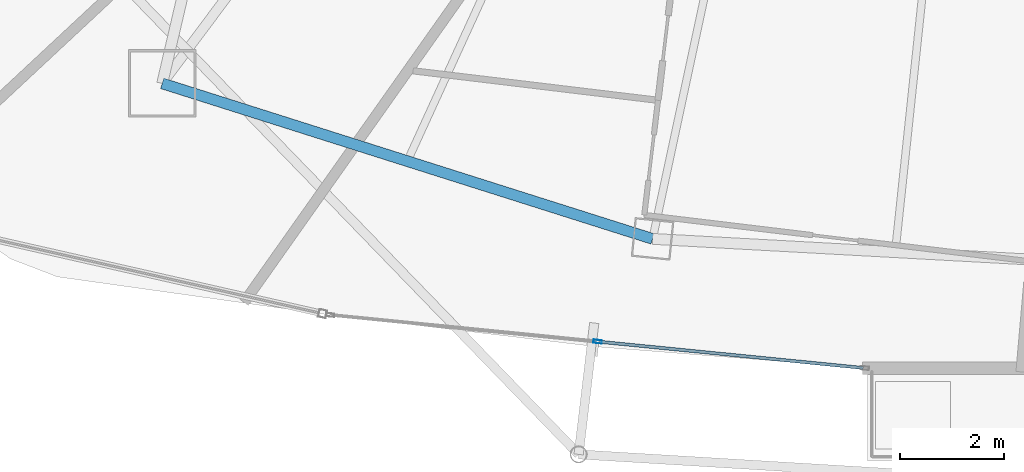
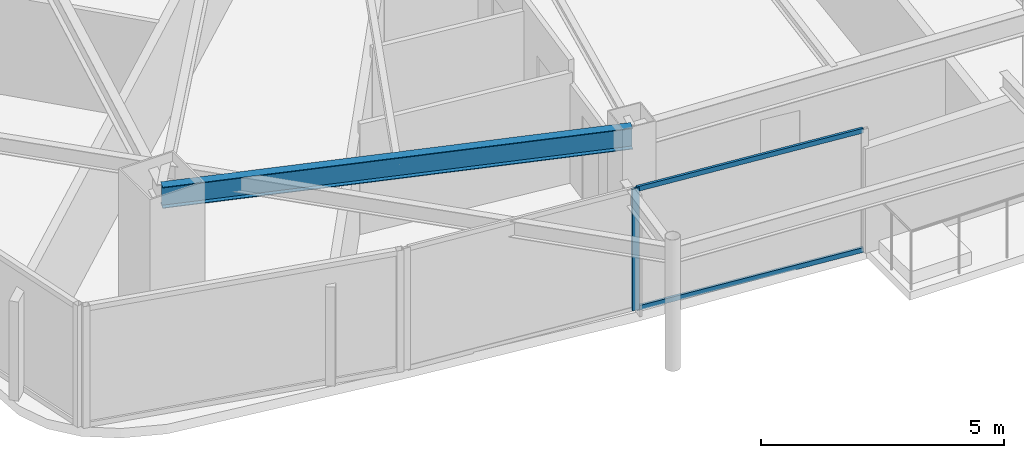
# One storey, part 4 of 32: 3 members, 1 beam, 1 element without a shape of its own.
"""IFC4 building model written with IfcOpenShell, lengths in metres."""

from ifc_helpers import new_model, si_unit, direction, frame, origin, origin_2d, place, context, subcontext, project, spatial, hollow_rectangle, i_section, extrude, material, layer, layer_set, material_profile, profile_set, type_object, element, aggregate, save


model = new_model("IFC4")

# Units and contexts
model_context = context("Model", 3, precision=1e-05, world=origin(), true_north=direction((0.0, 1.0)))
body_context = subcontext(model_context, "Body", "Model", "MODEL_VIEW")
ifc_project = project(units=[si_unit("LENGTHUNIT", "METRE"), si_unit("AREAUNIT", "SQUARE_METRE"), si_unit("VOLUMEUNIT", "CUBIC_METRE"), si_unit("PLANEANGLEUNIT", "RADIAN"), si_unit("MASSUNIT", "GRAM", prefix="KILO")], contexts=[model_context])

# Site, building, storey
site_placement = place(None, origin())
site = spatial("IfcSite", under=ifc_project, at=site_placement, CompositionType="ELEMENT")
building_placement = place(site_placement, origin())
building = spatial("IfcBuilding", under=site, at=building_placement, Name="Orvanel Arch Residences", CompositionType="ELEMENT")
storey_placement = place(building_placement, frame((0.0, 0.0, 219.5)))
storey = spatial("IfcBuildingStorey", under=building, at=storey_placement, Name="L62", CompositionType="ELEMENT", Elevation=219.5)

# Curtain wall, member
ifc_material_1 = material(Name="Bronze-anodised aluminium AA6063-T6", Category="aluminium")
ifc_layer = layer(ifc_material_1, 0.175048828125)
ifc_layer_set = layer_set([ifc_layer], Name="Bronze-anodised aluminium AA6063-T6")
curtain_wall_type = type_object("IfcCurtainWallType", Name="CW4-HI-SYS", PredefinedType="NOTDEFINED", material=ifc_layer_set)
curtain_wall_placement = place(storey_placement, origin())
curtain_wall = element("IfcCurtainWall", 1, at=curtain_wall_placement, inside=storey, type_object=curtain_wall_type, Name="L62 CW4-HI-SYS Unitised Curtain Wall", PredefinedType="NOTDEFINED")
ifc_material_profile_1 = material_profile(ifc_material_1, hollow_rectangle(XDim=0.06494140625, YDim=0.159912109375, WallThickness=0.00390625, at=origin_2d()), Name="ALU160x65x4")
ifc_profile_set_1 = profile_set([ifc_material_profile_1], Name="Bronze-anodised aluminium AA6063-T6")
member_type_1 = type_object("IfcMemberType", Name="MUL-160x65", PredefinedType="MULLION", material=ifc_profile_set_1)
member_1_placement = place(storey_placement, frame((22.589111328125, 5.3759765625, 0.0), z_axis=(0.0, 0.0, 1.0), x_axis=(0.098838628636, 0.995103474765, 0.0)))
member_1 = element("IfcMember", 2, at=member_1_placement, type_object=member_type_1, Name="CW-S4 mullion 2", PredefinedType="MULLION", context=body_context, shape_type="SweptSolid", body=[
    extrude(hollow_rectangle(XDim=0.06494140625, YDim=0.159912109375, WallThickness=0.00390625, at=origin_2d()), origin(), (0.0, 0.0, 1.0), 3.06005859375),
])

# Beam
ifc_material_2 = material(Name="Structural steel AS/NZS 3679.1 Grade 300 (300 MPa)", Category="steel")
ifc_material_profile_2 = material_profile(ifc_material_2, i_section(OverallWidth=0.208984375, OverallDepth=0.532958984375, WebThickness=0.01025390625, FlangeThickness=0.015625, at=origin_2d()), Name="530UB92.4")
ifc_profile_set_2 = profile_set([ifc_material_profile_2], Name="Structural steel AS/NZS 3679.1 Grade 300 (300 MPa)")
beam_type = type_object("IfcBeamType", Name="SP-530UB", PredefinedType="SPANDREL", material=ifc_profile_set_2)
beam_placement = place(storey_placement, frame((14.198974609375, 10.35107421875, 2.79296875), z_axis=(0.953237386592, -0.302222574941, 0.0), x_axis=(0.302222574941, 0.953237386592, 0.0)))
element("IfcBeam", 3, at=beam_placement, inside=storey, type_object=beam_type, Name="L62 Perimeter Spandrel Beam 02", PredefinedType="SPANDREL", context=body_context, shape_type="SweptSolid", body=[
    extrude(i_section(OverallWidth=0.208984375, OverallDepth=0.532958984375, WebThickness=0.01025390625, FlangeThickness=0.015625, at=origin_2d()), origin(), (0.0, 0.0, 1.0), 9.91357421875),
])

# Member
ifc_material_profile_3 = material_profile(ifc_material_1, hollow_rectangle(XDim=0.06005859375, YDim=0.1201171875, WallThickness=0.00341796875, at=origin_2d()), Name="ALU120x60x3.5")
ifc_profile_set_3 = profile_set([ifc_material_profile_3], Name="Bronze-anodised aluminium AA6063-T6")
member_type_2 = type_object("IfcMemberType", Name="TRN-120x60", PredefinedType="USERDEFINED", material=ifc_profile_set_3)
member_2_placement = place(storey_placement, frame((22.621337890625, 5.372802734375, 0.030029296875), z_axis=(0.995103157741, -0.098841820371, 0.0), x_axis=(0.098841820371, 0.995103157741, 0.0)))
member_2 = element("IfcMember", 4, at=member_2_placement, type_object=member_type_2, Name="CW-S4 transom 2.1", ObjectType="TRANSOM", PredefinedType="USERDEFINED", context=body_context, shape_type="SweptSolid", body=[
    extrude(hollow_rectangle(XDim=0.06005859375, YDim=0.1201171875, WallThickness=0.00341796875, at=origin_2d()), origin(), (0.0, 0.0, 1.0), 5.113037109375),
])

member_3_placement = place(storey_placement, frame((22.621337890625, 5.372802734375, 3.030029296875), z_axis=(0.995103157741, -0.098841820371, 0.0), x_axis=(0.098841820371, 0.995103157741, 0.0)))
member_3 = element("IfcMember", 5, at=member_3_placement, type_object=member_type_2, Name="CW-S4 transom 2.2", ObjectType="TRANSOM", PredefinedType="USERDEFINED", context=body_context, shape_type="SweptSolid", body=[
    extrude(hollow_rectangle(XDim=0.06005859375, YDim=0.1201171875, WallThickness=0.00341796875, at=origin_2d()), origin(), (0.0, 0.0, 1.0), 5.113037109375),
])

aggregate(curtain_wall, [member_1, member_2, member_3])

save(model, "model.ifc")
